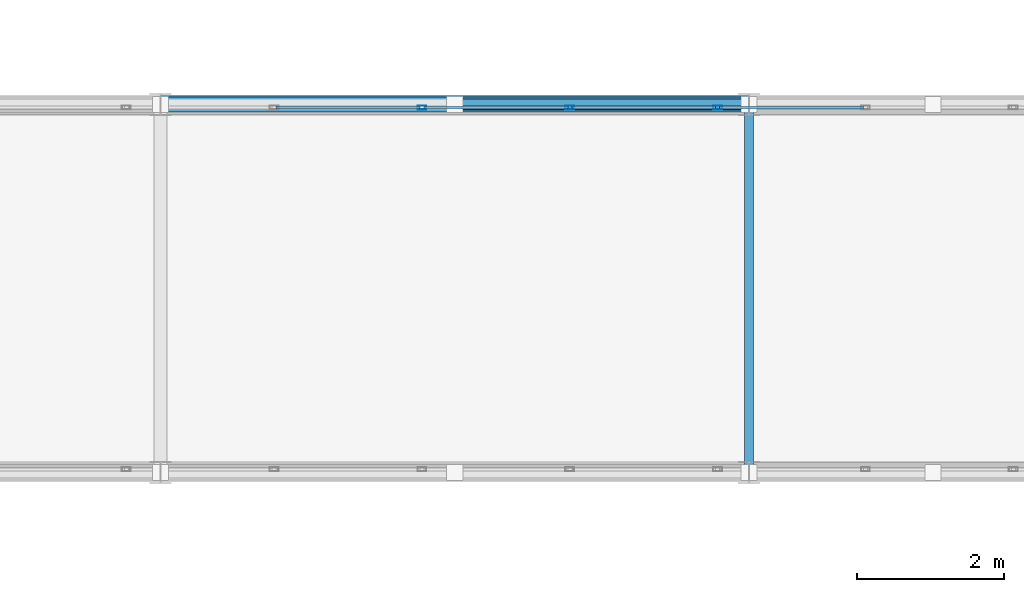
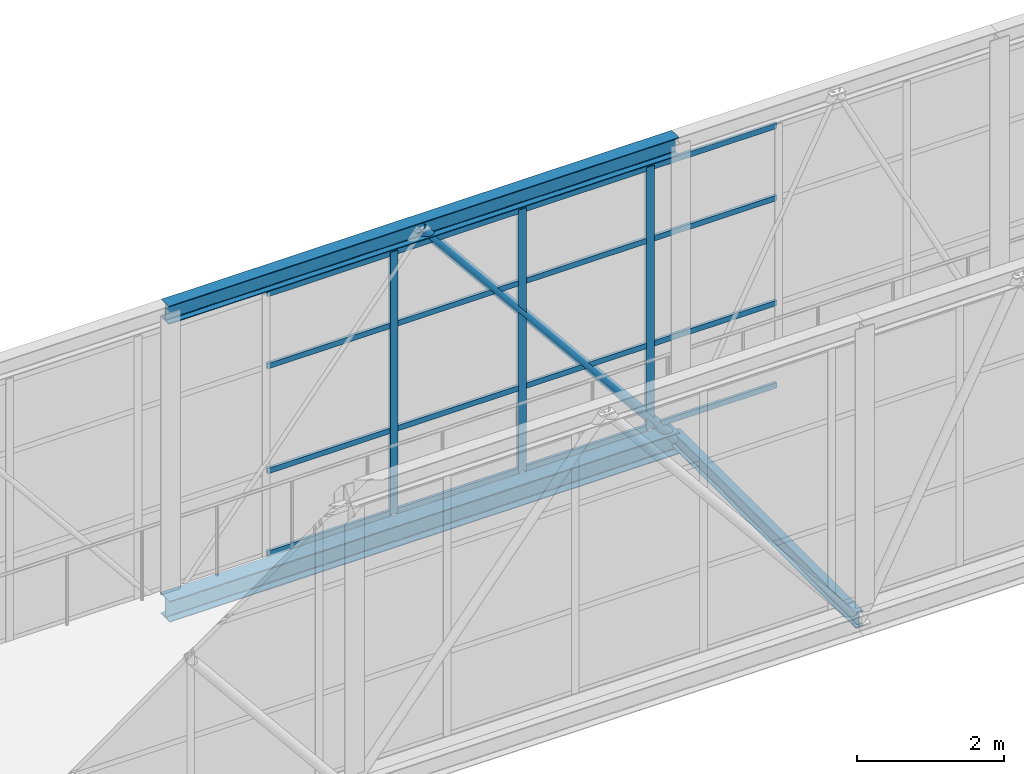
# One storey, part 101 of 248: 23 members, 1 element without a shape of its own.
"""IFC4 building model written with IfcOpenShell, lengths in metres."""

from ifc_helpers import new_model, si_unit, direction, frame, origin, origin_2d, place, context, subcontext, project, spatial, hollow_rectangle, hollow_circle, i_section, extrude, material, layer, layer_set, material_profile, profile_set, type_object, element, aggregate, save


model = new_model("IFC4")

# Units and contexts
model_context = context("Model", 3, precision=1e-05, world=origin(), true_north=direction((0.0, 1.0)))
body_context = subcontext(model_context, "Body", "Model", "MODEL_VIEW")
ifc_project = project(units=[si_unit("LENGTHUNIT", "METRE"), si_unit("AREAUNIT", "SQUARE_METRE"), si_unit("VOLUMEUNIT", "CUBIC_METRE"), si_unit("PLANEANGLEUNIT", "RADIAN"), si_unit("MASSUNIT", "GRAM", prefix="KILO")], contexts=[model_context])

# Site, building, storey
site_placement = place(None, origin())
site = spatial("IfcSite", under=ifc_project, at=site_placement, CompositionType="ELEMENT")
building_placement = place(site_placement, origin())
building = spatial("IfcBuilding", under=site, at=building_placement, Name="Canggui Botanical Conservatory", CompositionType="ELEMENT")
storey_placement = place(building_placement, frame((0.0, 0.0, 5.39990234375)))
storey = spatial("IfcBuildingStorey", under=building, at=storey_placement, Name="L02", CompositionType="ELEMENT", Elevation=5.39990234375)

# Curtain wall, members
ifc_material_1 = material(Name="Thermally Broken Aluminium", Category="aluminium")
ifc_layer = layer(ifc_material_1, 0.1201171875, Name="Thermally Broken Aluminium", Category="aluminium")
ifc_layer_set = layer_set([ifc_layer], Name="Thermally Broken Aluminium")
curtain_wall_type = type_object("IfcCurtainWallType", Name="CW-STICK-B", PredefinedType="USERDEFINED", material=ifc_layer_set)
curtain_wall_placement = place(storey_placement, origin())
curtain_wall = element("IfcCurtainWall", 1, at=curtain_wall_placement, inside=storey, type_object=curtain_wall_type, Name="Facade Curtain Wall CW-SB-01-2", ObjectType="STICK GLAZED WALL", PredefinedType="USERDEFINED")
ifc_material_profile_1 = material_profile(ifc_material_1, hollow_rectangle(XDim=0.054931640625, YDim=0.1201171875, WallThickness=0.0029296875, at=origin_2d()), Name="CWM 55x120x3")
ifc_profile_set_1 = profile_set([ifc_material_profile_1], Name="Thermally Broken Aluminium")
member_type_1 = type_object("IfcMemberType", Name="CWM-05", PredefinedType="MULLION", material=ifc_profile_set_1)
member_1_placement = place(storey_placement, frame((109.05322265625, 30.9599609375, 0.0), z_axis=(0.0, 0.0, 1.0), x_axis=(0.0, 1.0, 0.0)))
member_1 = element("IfcMember", 2, at=member_1_placement, type_object=member_type_1, Name="CW-05 mullion 22", PredefinedType="MULLION", context=body_context, shape_type="SweptSolid", body=[
    extrude(hollow_rectangle(XDim=0.054931640625, YDim=0.1201171875, WallThickness=0.0029296875, at=origin_2d()), origin(), (0.0, 0.0, 1.0), 4.35009765625),
])
member_2_placement = place(storey_placement, frame((111.06298828125, 30.9599609375, 0.0), z_axis=(0.0, 0.0, 1.0), x_axis=(0.0, 1.0, 0.0)))
member_2 = element("IfcMember", 3, at=member_2_placement, type_object=member_type_1, Name="CW-05 mullion 23", PredefinedType="MULLION", context=body_context, shape_type="SweptSolid", body=[
    extrude(hollow_rectangle(XDim=0.054931640625, YDim=0.1201171875, WallThickness=0.0029296875, at=origin_2d()), origin(), (0.0, 0.0, 1.0), 4.35009765625),
])
member_3_placement = place(storey_placement, frame((113.072509765625, 30.9599609375, 0.0), z_axis=(0.0, 0.0, 1.0), x_axis=(0.0, 1.0, 0.0)))
member_3 = element("IfcMember", 4, at=member_3_placement, type_object=member_type_1, Name="CW-05 mullion 24", PredefinedType="MULLION", context=body_context, shape_type="SweptSolid", body=[
    extrude(hollow_rectangle(XDim=0.054931640625, YDim=0.1201171875, WallThickness=0.0029296875, at=origin_2d()), origin(), (0.0, 0.0, 1.0), 4.35009765625),
])
ifc_material_profile_2 = material_profile(ifc_material_1, hollow_rectangle(XDim=0.044921875, YDim=0.090087890625, WallThickness=0.0029296875, at=origin_2d()), Name="CWT 45x90x3")
ifc_profile_set_2 = profile_set([ifc_material_profile_2], Name="Thermally Broken Aluminium")
member_type_2 = type_object("IfcMemberType", Name="CWT-05", PredefinedType="USERDEFINED", material=ifc_profile_set_2)
member_4_placement = place(storey_placement, frame((107.071044921875, 30.9599609375, 0.022705078125), z_axis=(1.0, 0.0, 0.0), x_axis=(0.0, 1.0, 0.0)))
member_4 = element("IfcMember", 5, at=member_4_placement, type_object=member_type_2, Name="CW-05 transom 21.1", ObjectType="TRANSOM", PredefinedType="USERDEFINED", context=body_context, shape_type="SweptSolid", body=[
    extrude(hollow_rectangle(XDim=0.044921875, YDim=0.090087890625, WallThickness=0.0029296875, at=origin_2d()), origin(), (0.0, 0.0, 1.0), 1.95458984375),
])
member_5_placement = place(storey_placement, frame((107.071044921875, 30.9599609375, 1.39208984375), z_axis=(1.0, 0.0, 0.0), x_axis=(0.0, 1.0, 0.0)))
member_5 = element("IfcMember", 6, at=member_5_placement, type_object=member_type_2, Name="CW-05 transom 21.2", ObjectType="TRANSOM", PredefinedType="USERDEFINED", context=body_context, shape_type="SweptSolid", body=[
    extrude(hollow_rectangle(XDim=0.044921875, YDim=0.090087890625, WallThickness=0.0029296875, at=origin_2d()), origin(), (0.0, 0.0, 1.0), 1.95458984375),
])
member_6_placement = place(storey_placement, frame((107.071044921875, 30.9599609375, 3.132080078125), z_axis=(1.0, 0.0, 0.0), x_axis=(0.0, 1.0, 0.0)))
member_6 = element("IfcMember", 7, at=member_6_placement, type_object=member_type_2, Name="CW-05 transom 21.3", ObjectType="TRANSOM", PredefinedType="USERDEFINED", context=body_context, shape_type="SweptSolid", body=[
    extrude(hollow_rectangle(XDim=0.044921875, YDim=0.090087890625, WallThickness=0.0029296875, at=origin_2d()), origin(), (0.0, 0.0, 1.0), 1.95458984375),
])
member_7_placement = place(storey_placement, frame((107.071044921875, 30.9599609375, 4.32763671875), z_axis=(1.0, 0.0, 0.0), x_axis=(0.0, 1.0, 0.0)))
member_7 = element("IfcMember", 8, at=member_7_placement, type_object=member_type_2, Name="CW-05 transom 21.4", ObjectType="TRANSOM", PredefinedType="USERDEFINED", context=body_context, shape_type="SweptSolid", body=[
    extrude(hollow_rectangle(XDim=0.044921875, YDim=0.090087890625, WallThickness=0.0029296875, at=origin_2d()), origin(), (0.0, 0.0, 1.0), 1.95458984375),
])
member_8_placement = place(storey_placement, frame((109.080810546875, 30.9599609375, 0.022705078125), z_axis=(1.0, 0.0, 0.0), x_axis=(0.0, 1.0, 0.0)))
member_8 = element("IfcMember", 9, at=member_8_placement, type_object=member_type_2, Name="CW-05 transom 22.1", ObjectType="TRANSOM", PredefinedType="USERDEFINED", context=body_context, shape_type="SweptSolid", body=[
    extrude(hollow_rectangle(XDim=0.044921875, YDim=0.090087890625, WallThickness=0.0029296875, at=origin_2d()), origin(), (0.0, 0.0, 1.0), 1.95458984375),
])
member_9_placement = place(storey_placement, frame((109.080810546875, 30.9599609375, 1.39208984375), z_axis=(1.0, 0.0, 0.0), x_axis=(0.0, 1.0, 0.0)))
member_9 = element("IfcMember", 10, at=member_9_placement, type_object=member_type_2, Name="CW-05 transom 22.2", ObjectType="TRANSOM", PredefinedType="USERDEFINED", context=body_context, shape_type="SweptSolid", body=[
    extrude(hollow_rectangle(XDim=0.044921875, YDim=0.090087890625, WallThickness=0.0029296875, at=origin_2d()), origin(), (0.0, 0.0, 1.0), 1.95458984375),
])
member_10_placement = place(storey_placement, frame((109.080810546875, 30.9599609375, 3.132080078125), z_axis=(1.0, 0.0, 0.0), x_axis=(0.0, 1.0, 0.0)))
member_10 = element("IfcMember", 11, at=member_10_placement, type_object=member_type_2, Name="CW-05 transom 22.3", ObjectType="TRANSOM", PredefinedType="USERDEFINED", context=body_context, shape_type="SweptSolid", body=[
    extrude(hollow_rectangle(XDim=0.044921875, YDim=0.090087890625, WallThickness=0.0029296875, at=origin_2d()), origin(), (0.0, 0.0, 1.0), 1.95458984375),
])
member_11_placement = place(storey_placement, frame((109.080810546875, 30.9599609375, 4.32763671875), z_axis=(1.0, 0.0, 0.0), x_axis=(0.0, 1.0, 0.0)))
member_11 = element("IfcMember", 12, at=member_11_placement, type_object=member_type_2, Name="CW-05 transom 22.4", ObjectType="TRANSOM", PredefinedType="USERDEFINED", context=body_context, shape_type="SweptSolid", body=[
    extrude(hollow_rectangle(XDim=0.044921875, YDim=0.090087890625, WallThickness=0.0029296875, at=origin_2d()), origin(), (0.0, 0.0, 1.0), 1.95458984375),
])
member_12_placement = place(storey_placement, frame((111.09033203125, 30.9599609375, 0.022705078125), z_axis=(1.0, 0.0, 0.0), x_axis=(0.0, 1.0, 0.0)))
member_12 = element("IfcMember", 13, at=member_12_placement, type_object=member_type_2, Name="CW-05 transom 23.1", ObjectType="TRANSOM", PredefinedType="USERDEFINED", context=body_context, shape_type="SweptSolid", body=[
    extrude(hollow_rectangle(XDim=0.044921875, YDim=0.090087890625, WallThickness=0.0029296875, at=origin_2d()), origin(), (0.0, 0.0, 1.0), 1.954833984375),
])
member_13_placement = place(storey_placement, frame((111.09033203125, 30.9599609375, 1.39208984375), z_axis=(1.0, 0.0, 0.0), x_axis=(0.0, 1.0, 0.0)))
member_13 = element("IfcMember", 14, at=member_13_placement, type_object=member_type_2, Name="CW-05 transom 23.2", ObjectType="TRANSOM", PredefinedType="USERDEFINED", context=body_context, shape_type="SweptSolid", body=[
    extrude(hollow_rectangle(XDim=0.044921875, YDim=0.090087890625, WallThickness=0.0029296875, at=origin_2d()), origin(), (0.0, 0.0, 1.0), 1.954833984375),
])
member_14_placement = place(storey_placement, frame((111.09033203125, 30.9599609375, 3.132080078125), z_axis=(1.0, 0.0, 0.0), x_axis=(0.0, 1.0, 0.0)))
member_14 = element("IfcMember", 15, at=member_14_placement, type_object=member_type_2, Name="CW-05 transom 23.3", ObjectType="TRANSOM", PredefinedType="USERDEFINED", context=body_context, shape_type="SweptSolid", body=[
    extrude(hollow_rectangle(XDim=0.044921875, YDim=0.090087890625, WallThickness=0.0029296875, at=origin_2d()), origin(), (0.0, 0.0, 1.0), 1.954833984375),
])
member_15_placement = place(storey_placement, frame((111.09033203125, 30.9599609375, 4.32763671875), z_axis=(1.0, 0.0, 0.0), x_axis=(0.0, 1.0, 0.0)))
member_15 = element("IfcMember", 16, at=member_15_placement, type_object=member_type_2, Name="CW-05 transom 23.4", ObjectType="TRANSOM", PredefinedType="USERDEFINED", context=body_context, shape_type="SweptSolid", body=[
    extrude(hollow_rectangle(XDim=0.044921875, YDim=0.090087890625, WallThickness=0.0029296875, at=origin_2d()), origin(), (0.0, 0.0, 1.0), 1.954833984375),
])
member_16_placement = place(storey_placement, frame((113.10009765625, 30.9599609375, 0.022705078125), z_axis=(1.0, 0.0, 0.0), x_axis=(0.0, 1.0, 0.0)))
member_16 = element("IfcMember", 17, at=member_16_placement, type_object=member_type_2, Name="CW-05 transom 24.1", ObjectType="TRANSOM", PredefinedType="USERDEFINED", context=body_context, shape_type="SweptSolid", body=[
    extrude(hollow_rectangle(XDim=0.044921875, YDim=0.090087890625, WallThickness=0.0029296875, at=origin_2d()), origin(), (0.0, 0.0, 1.0), 1.95458984375),
])
member_17_placement = place(storey_placement, frame((113.10009765625, 30.9599609375, 1.39208984375), z_axis=(1.0, 0.0, 0.0), x_axis=(0.0, 1.0, 0.0)))
member_17 = element("IfcMember", 18, at=member_17_placement, type_object=member_type_2, Name="CW-05 transom 24.2", ObjectType="TRANSOM", PredefinedType="USERDEFINED", context=body_context, shape_type="SweptSolid", body=[
    extrude(hollow_rectangle(XDim=0.044921875, YDim=0.090087890625, WallThickness=0.0029296875, at=origin_2d()), origin(), (0.0, 0.0, 1.0), 1.95458984375),
])
member_18_placement = place(storey_placement, frame((113.10009765625, 30.9599609375, 3.132080078125), z_axis=(1.0, 0.0, 0.0), x_axis=(0.0, 1.0, 0.0)))
member_18 = element("IfcMember", 19, at=member_18_placement, type_object=member_type_2, Name="CW-05 transom 24.3", ObjectType="TRANSOM", PredefinedType="USERDEFINED", context=body_context, shape_type="SweptSolid", body=[
    extrude(hollow_rectangle(XDim=0.044921875, YDim=0.090087890625, WallThickness=0.0029296875, at=origin_2d()), origin(), (0.0, 0.0, 1.0), 1.95458984375),
])
member_19_placement = place(storey_placement, frame((113.10009765625, 30.9599609375, 4.32763671875), z_axis=(1.0, 0.0, 0.0), x_axis=(0.0, 1.0, 0.0)))
member_19 = element("IfcMember", 20, at=member_19_placement, type_object=member_type_2, Name="CW-05 transom 24.4", ObjectType="TRANSOM", PredefinedType="USERDEFINED", context=body_context, shape_type="SweptSolid", body=[
    extrude(hollow_rectangle(XDim=0.044921875, YDim=0.090087890625, WallThickness=0.0029296875, at=origin_2d()), origin(), (0.0, 0.0, 1.0), 1.95458984375),
])
aggregate(curtain_wall, [member_1, member_2, member_3, member_4, member_5, member_6, member_7, member_8, member_9, member_10, member_11, member_12, member_13, member_14, member_15, member_16, member_17, member_18, member_19])

# Members
ifc_material_2 = material(Name="Steel Q355C", Category="steel")
ifc_material_profile_3 = material_profile(ifc_material_2, hollow_circle(Radius=0.075927734375, WallThickness=0.006103515625, at=origin_2d()), Name="CHS 152x6")
ifc_profile_set_3 = profile_set([ifc_material_profile_3], Name="Steel Q355C")
member_type_3 = type_object("IfcMemberType", Name="MEM-GSD04", PredefinedType="RAFTER", material=ifc_profile_set_3)
member_20_placement = place(storey_placement, frame((109.5, 31.0, 4.550048828125), z_axis=(0.632384053133, 0.0, -0.774655026024), x_axis=(0.0, 1.0, 0.0)))
element("IfcMember", 21, at=member_20_placement, inside=storey, type_object=member_type_3, Name="SB-01 Truss Web Rafter 2.6B", PredefinedType="RAFTER", context=body_context, shape_type="SweptSolid", body=[
    extrude(hollow_circle(Radius=0.075927734375, WallThickness=0.006103515625, at=origin_2d()), origin(), (0.0, 0.0, 1.0), 6.3251953125),
])
ifc_material_3 = material(Name="Steel Q355B", Category="steel")
ifc_material_profile_4 = material_profile(ifc_material_3, i_section(OverallWidth=0.125, OverallDepth=0.25, WebThickness=0.006103515625, FlangeThickness=0.009033203125, FilletRadius=0.011962890625, at=origin_2d()), Name="HN 250x125x6x9")
ifc_profile_set_4 = profile_set([ifc_material_profile_4], Name="Steel Q355B")
member_type_4 = type_object("IfcMemberType", Name="MEM-STR01", PredefinedType="STRINGER", material=ifc_profile_set_4)
member_21_placement = place(storey_placement, frame((113.5, 26.0, -0.31982421875), z_axis=(0.0, 1.0, 0.0), x_axis=(-1.0, 0.0, 0.0)))
element("IfcMember", 22, at=member_21_placement, inside=storey, type_object=member_type_4, Name="SB-01 Deck Transverse Stringer 6", PredefinedType="STRINGER", context=body_context, shape_type="SweptSolid", body=[
    extrude(i_section(OverallWidth=0.125, OverallDepth=0.25, WebThickness=0.006103515625, FlangeThickness=0.009033203125, FilletRadius=0.011962890625, at=origin_2d()), origin(), (0.0, 0.0, 1.0), 5.0),
])
ifc_material_profile_5 = material_profile(ifc_material_3, i_section(OverallWidth=0.25, OverallDepth=0.35009765625, WebThickness=0.009033203125, FlangeThickness=0.013916015625, FilletRadius=0.02001953125, at=origin_2d()), Name="HM 350x250x9x14")
ifc_profile_set_5 = profile_set([ifc_material_profile_5], Name="Steel Q355B")
member_type_5 = type_object("IfcMemberType", Name="MEM-TC03", PredefinedType="CHORD", material=ifc_profile_set_5)
member_22_placement = place(storey_placement, frame((105.5, 31.0, -0.349853515625), z_axis=(1.0, 0.0, 0.0), x_axis=(0.0, 1.0, 0.0)))
element("IfcMember", 23, at=member_22_placement, inside=storey, type_object=member_type_5, Name="SB-01 Deck Truss Bottom Chord 2.6", PredefinedType="CHORD", context=body_context, shape_type="SweptSolid", body=[
    extrude(i_section(OverallWidth=0.25, OverallDepth=0.35009765625, WebThickness=0.009033203125, FlangeThickness=0.013916015625, FilletRadius=0.02001953125, at=origin_2d()), origin(), (0.0, 0.0, 1.0), 8.0),
])
ifc_material_profile_6 = material_profile(ifc_material_3, i_section(OverallWidth=0.199951171875, OverallDepth=0.300048828125, WebThickness=0.008056640625, FlangeThickness=0.011962890625, FilletRadius=0.01806640625, at=origin_2d()), Name="HM 300x200x8x12")
ifc_profile_set_6 = profile_set([ifc_material_profile_6], Name="Steel Q355B")
member_type_6 = type_object("IfcMemberType", Name="MEM-TC04", PredefinedType="CHORD", material=ifc_profile_set_6)
member_23_placement = place(storey_placement, frame((105.5, 31.0, 4.550048828125), z_axis=(1.0, 0.0, 0.0), x_axis=(0.0, 1.0, 0.0)))
element("IfcMember", 24, at=member_23_placement, inside=storey, type_object=member_type_6, Name="SB-01 Roof Truss Top Chord 2.6", PredefinedType="CHORD", context=body_context, shape_type="SweptSolid", body=[
    extrude(i_section(OverallWidth=0.199951171875, OverallDepth=0.300048828125, WebThickness=0.008056640625, FlangeThickness=0.011962890625, FilletRadius=0.01806640625, at=origin_2d()), origin(), (0.0, 0.0, 1.0), 8.0),
])

save(model, "model.ifc")
